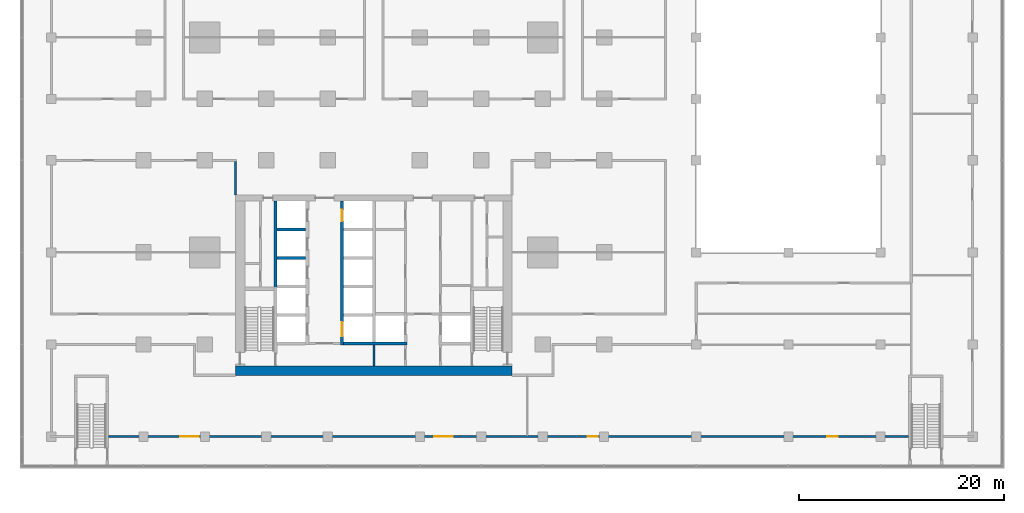
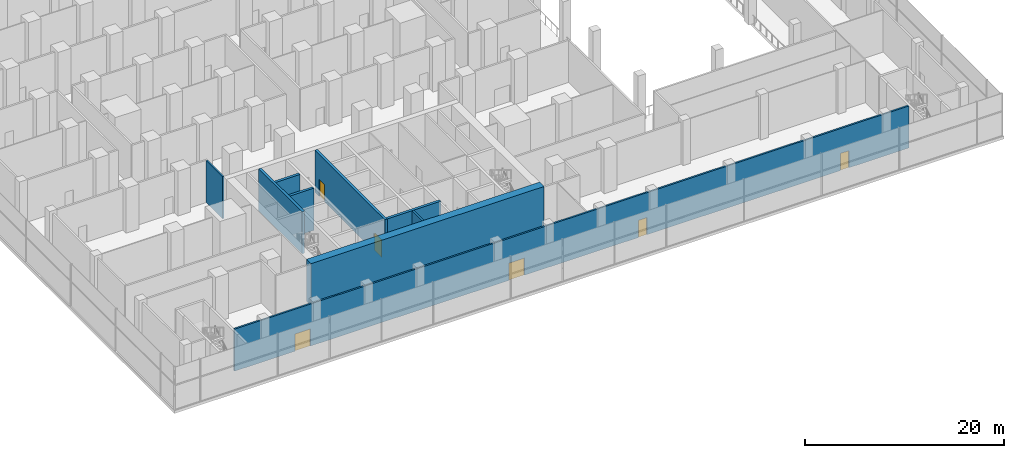
# One storey, part 13 of 22: 9 walls, 6 doors, 6 openings.
"""IFC4 building model written with IfcOpenShell, lengths in metres."""

from ifc_helpers import new_model, si_unit, direction, frame, frame_2d, origin, place, context, subcontext, project, spatial, rectangle, extrude, material, layer, layer_set, type_object, element, fill, save


model = new_model("IFC4")

# Units and contexts
model_context = context("Model", 3, precision=1e-05, world=origin(), true_north=direction((0.0, 1.0)))
body_context = subcontext(model_context, "Body", "Model", "MODEL_VIEW")
ifc_project = project(units=[si_unit("LENGTHUNIT", "METRE"), si_unit("AREAUNIT", "SQUARE_METRE"), si_unit("VOLUMEUNIT", "CUBIC_METRE"), si_unit("PLANEANGLEUNIT", "RADIAN"), si_unit("MASSUNIT", "GRAM", prefix="KILO")], contexts=[model_context])

# Site, building, storey
site_placement = place(None, origin())
site = spatial("IfcSite", under=ifc_project, at=site_placement, CompositionType="ELEMENT")
building_placement = place(site_placement, origin())
building = spatial("IfcBuilding", under=site, at=building_placement, Name="Finial Court Residences", CompositionType="ELEMENT")
storey_placement = place(building_placement, frame((0.0, 0.0, 8.0)))
storey = spatial("IfcBuildingStorey", under=building, at=storey_placement, Name="L01", CompositionType="ELEMENT", Elevation=8.0)

# Wall
ifc_material_1 = material(Name="Concrete C80/95", Category="concrete")
ifc_layer_1 = layer(ifc_material_1, 0.89990234375)
ifc_layer_set_1 = layer_set([ifc_layer_1], Name="Core outer wall 900 Concrete C80/95")
wall_type_1 = type_object("IfcWallType", Name="Core outer wall 900 Concrete C80/95", PredefinedType="SHEAR", material=ifc_layer_set_1)
wall_1_placement = place(storey_placement, frame((-13.5, -25.050048828125, 0.0), z_axis=(0.0, 0.0, 1.0), x_axis=(1.0, 0.0, 0.0)))
element("IfcWall", 1, at=wall_1_placement, inside=storey, type_object=wall_type_1, Name="Core outer wall L01-01", PredefinedType="SHEAR", context=body_context, shape_type="SweptSolid", body=[
    extrude(rectangle(XDim=27.0, YDim=0.89990234375, at=frame_2d((13.5, 0.0))), origin(), (0.0, 0.0, 1.0), 5.14990234375),
])

# Wall, openings, doors
ifc_material_2 = material(Name="Gypsum board")
ifc_layer_2 = layer(ifc_material_2, 0.02490234375)
ifc_material_3 = material(Name="Acoustic mineral wool in double frame")
ifc_layer_3 = layer(ifc_material_3, 0.14990234375)
ifc_layer_4 = layer(ifc_material_2, 0.02490234375)
ifc_layer_set_2 = layer_set([ifc_layer_2, ifc_layer_3, ifc_layer_4], Name="Corridor wall 200, 1 hour")
wall_type_2 = type_object("IfcWallType", Name="Corridor wall 200, 1 hour", PredefinedType="PARTITIONING", material=ifc_layer_set_2)
wall_2_placement = place(storey_placement, frame((-25.89990234375, -31.5, 0.0), z_axis=(0.0, 0.0, 1.0), x_axis=(1.0, 0.0, 0.0)))
wall_2 = element("IfcWall", 2, at=wall_2_placement, inside=storey, type_object=wall_type_2, Name="Partition L01-001", PredefinedType="PARTITIONING", context=body_context, shape_type="SweptSolid", body=[
    extrude(rectangle(XDim=78.14990234375, YDim=0.199951171875, at=frame_2d((39.074951171875, 0.0))), origin(), (0.0, 0.0, 1.0), 5.14990234375),
])
opening_1_placement = place(wall_2_placement, frame((7.0, 0.0, 0.0)))
opening_1 = element("IfcOpeningElement", 3, at=opening_1_placement, cuts=wall_2, Name="Opening L01-D001", PredefinedType="OPENING", context=body_context, shape_type="SweptSolid", body=[
    extrude(rectangle(XDim=1.800048828125, YDim=2.10009765625, at=frame_2d((0.89990234375, 1.050048828125))), frame((0.0, 0.10986328125, 0.0), z_axis=(0.0, -1.0, 0.0), x_axis=(1.0, 0.0, 0.0)), (0.0, 0.0, 1.0), 0.219970703125),
])
opening_2_placement = place(wall_2_placement, frame((31.800048828125, 0.0, 0.0)))
opening_2 = element("IfcOpeningElement", 4, at=opening_2_placement, cuts=wall_2, Name="Opening L01-D002", PredefinedType="OPENING", context=body_context, shape_type="SweptSolid", body=[
    extrude(rectangle(XDim=1.800048828125, YDim=2.10009765625, at=frame_2d((0.89990234375, 1.050048828125))), frame((0.0, 0.10986328125, 0.0), z_axis=(0.0, -1.0, 0.0), x_axis=(1.0, 0.0, 0.0)), (0.0, 0.0, 1.0), 0.219970703125),
])
opening_3_placement = place(wall_2_placement, frame((46.800048828125, 0.0, 0.0)))
opening_3 = element("IfcOpeningElement", 5, at=opening_3_placement, cuts=wall_2, Name="Opening L01-D003", PredefinedType="OPENING", context=body_context, shape_type="SweptSolid", body=[
    extrude(rectangle(XDim=1.0, YDim=2.10009765625, at=frame_2d((0.5, 1.050048828125))), frame((0.0, 0.10986328125, 0.0), z_axis=(0.0, -1.0, 0.0), x_axis=(1.0, 0.0, 0.0)), (0.0, 0.0, 1.0), 0.219970703125),
])
opening_4_placement = place(wall_2_placement, frame((70.199951171875, 0.0, 0.0)))
opening_4 = element("IfcOpeningElement", 6, at=opening_4_placement, cuts=wall_2, Name="Opening L01-D004", PredefinedType="OPENING", context=body_context, shape_type="SweptSolid", body=[
    extrude(rectangle(XDim=1.0, YDim=2.10009765625, at=frame_2d((0.5, 1.050048828125))), frame((0.0, 0.10986328125, 0.0), z_axis=(0.0, -1.0, 0.0), x_axis=(1.0, 0.0, 0.0)), (0.0, 0.0, 1.0), 0.219970703125),
])
ifc_material_4 = material(Name="Timber door leaf in hollow metal frame", Category="wood")
door_type_1 = type_object("IfcDoorType", Name="Fire door set 1000 x 2100, 30 minutes", OperationType="SINGLE_SWING_LEFT", PredefinedType="DOOR", material=ifc_material_4)
door_1_placement = place(opening_3_placement, origin())
door_1 = element("IfcDoor", 7, at=door_1_placement, inside=storey, type_object=door_type_1, Name="Door L01-D003", OperationType="SINGLE_SWING_LEFT", OverallHeight=2.10009765625, OverallWidth=1.0, PredefinedType="DOOR", context=body_context, shape_type="SweptSolid", body=[
    extrude(rectangle(XDim=1.0, YDim=2.10009765625, at=frame_2d((0.5, 1.050048828125))), frame((0.0, 0.02490234375, 0.0), z_axis=(0.0, -1.0, 0.0), x_axis=(1.0, 0.0, 0.0)), (0.0, 0.0, 1.0), 0.050048828125),
])
fill(opening_3, door_1)
door_2_placement = place(opening_4_placement, origin())
door_2 = element("IfcDoor", 8, at=door_2_placement, inside=storey, type_object=door_type_1, Name="Door L01-D004", OperationType="SINGLE_SWING_LEFT", OverallHeight=2.10009765625, OverallWidth=1.0, PredefinedType="DOOR", context=body_context, shape_type="SweptSolid", body=[
    extrude(rectangle(XDim=1.0, YDim=2.10009765625, at=frame_2d((0.5, 1.050048828125))), frame((0.0, 0.02490234375, 0.0), z_axis=(0.0, -1.0, 0.0), x_axis=(1.0, 0.0, 0.0)), (0.0, 0.0, 1.0), 0.050048828125),
])
fill(opening_4, door_2)
door_type_2 = type_object("IfcDoorType", Name="Fire door set 1800 x 2100, 30 minutes", OperationType="DOUBLE_DOOR_SINGLE_SWING", PredefinedType="DOOR", material=ifc_material_4)
door_3_placement = place(opening_1_placement, origin())
door_3 = element("IfcDoor", 9, at=door_3_placement, inside=storey, type_object=door_type_2, Name="Door L01-D001", OperationType="DOUBLE_DOOR_SINGLE_SWING", OverallHeight=2.10009765625, OverallWidth=1.800048828125, PredefinedType="DOOR", context=body_context, shape_type="SweptSolid", body=[
    extrude(rectangle(XDim=1.800048828125, YDim=2.10009765625, at=frame_2d((0.89990234375, 1.050048828125))), frame((0.0, 0.02490234375, 0.0), z_axis=(0.0, -1.0, 0.0), x_axis=(1.0, 0.0, 0.0)), (0.0, 0.0, 1.0), 0.050048828125),
])
fill(opening_1, door_3)
door_4_placement = place(opening_2_placement, origin())
door_4 = element("IfcDoor", 10, at=door_4_placement, inside=storey, type_object=door_type_2, Name="Door L01-D002", OperationType="DOUBLE_DOOR_SINGLE_SWING", OverallHeight=2.10009765625, OverallWidth=1.800048828125, PredefinedType="DOOR", context=body_context, shape_type="SweptSolid", body=[
    extrude(rectangle(XDim=1.800048828125, YDim=2.10009765625, at=frame_2d((0.89990234375, 1.050048828125))), frame((0.0, 0.02490234375, 0.0), z_axis=(0.0, -1.0, 0.0), x_axis=(1.0, 0.0, 0.0)), (0.0, 0.0, 1.0), 0.050048828125),
])
fill(opening_2, door_4)

# Walls
wall_3_placement = place(storey_placement, frame((-13.5, -7.89990234375, 0.0), z_axis=(0.0, 0.0, 1.0), x_axis=(0.0, 1.0, 0.0)))
element("IfcWall", 11, at=wall_3_placement, inside=storey, type_object=wall_type_2, Name="Partition L01-047", PredefinedType="PARTITIONING", context=body_context, shape_type="SweptSolid", body=[
    extrude(rectangle(XDim=3.2998046875, YDim=0.199951171875, at=frame_2d((1.64990234375, 0.0))), origin(), (0.0, 0.0, 1.0), 5.14990234375),
])
ifc_layer_5 = layer(ifc_material_1, 0.300048828125)
ifc_layer_set_3 = layer_set([ifc_layer_5], Name="Lift shaft and stair wall 300 Concrete C80/95")
wall_type_3 = type_object("IfcWallType", Name="Lift shaft and stair wall 300 Concrete C80/95", PredefinedType="SHEAR", material=ifc_layer_set_3)
wall_4_placement = place(storey_placement, frame((-2.949951171875, -22.39990234375, 0.0), z_axis=(0.0, 0.0, 1.0), x_axis=(1.0, 0.0, 0.0)))
element("IfcWall", 12, at=wall_4_placement, inside=storey, type_object=wall_type_3, Name="Core wall L01-03", PredefinedType="SHEAR", context=body_context, shape_type="SweptSolid", body=[
    extrude(rectangle(XDim=6.199951171875, YDim=0.300048828125, at=frame_2d((3.10009765625, 0.0))), origin(), (0.0, 0.0, 1.0), 5.14990234375),
])
for number, where, z_axis, x_axis, name in (
    (13, (-9.449951171875, -14.06005859375, 0.0), (0.0, 0.0, 1.0), (1.0, 0.0, 0.0), "Core wall L01-16"),
    (14, (-9.449951171875, -11.280029296875, 0.0), (0.0, 0.0, 1.0), (1.0, 0.0, 0.0), "Core wall L01-19"),
):
    element("IfcWall", number, at=place(storey_placement, frame(where, z_axis=z_axis, x_axis=x_axis)), inside=storey, type_object=wall_type_3, Name=name, PredefinedType="SHEAR", context=body_context, shape_type="SweptSolid", body=[
        extrude(rectangle(XDim=2.800048828125, YDim=0.300048828125, at=frame_2d((1.39990234375, 0.0))), origin(), (0.0, 0.0, 1.0), 5.14990234375),
    ])
wall_5_placement = place(storey_placement, frame((-9.60009765625, -17.199951171875, 0.0), z_axis=(0.0, 0.0, 1.0), x_axis=(0.0, 1.0, 0.0)))
element("IfcWall", 15, at=wall_5_placement, inside=storey, type_object=wall_type_3, Name="Core wall L01-25", PredefinedType="SHEAR", context=body_context, shape_type="SweptSolid", body=[
    extrude(rectangle(XDim=8.699951171875, YDim=0.300048828125, at=frame_2d((4.35009765625, 0.0))), origin(), (0.0, 0.0, 1.0), 5.14990234375),
])

# Wall, openings, doors
wall_6_placement = place(storey_placement, frame((-3.10009765625, -22.550048828125, 0.0), z_axis=(0.0, 0.0, 1.0), x_axis=(0.0, 1.0, 0.0)))
wall_6 = element("IfcWall", 16, at=wall_6_placement, inside=storey, type_object=wall_type_3, Name="Core wall L01-27", PredefinedType="SHEAR", context=body_context, shape_type="SweptSolid", body=[
    extrude(rectangle(XDim=14.050048828125, YDim=0.300048828125, at=frame_2d((7.02490234375, 0.0))), origin(), (0.0, 0.0, 1.0), 5.14990234375),
])
opening_5_placement = place(wall_6_placement, frame((12.110107421875, 0.0, 0.0)))
opening_5 = element("IfcOpeningElement", 17, at=opening_5_placement, cuts=wall_6, Name="Opening L01-LD08", PredefinedType="OPENING", context=body_context, shape_type="SweptSolid", body=[
    extrude(rectangle(XDim=1.10009765625, YDim=2.10009765625, at=frame_2d((0.550048828125, 1.050048828125))), frame((0.0, 0.159912109375, 0.0), z_axis=(0.0, -1.0, 0.0), x_axis=(1.0, 0.0, 0.0)), (0.0, 0.0, 1.0), 0.320068359375),
])
opening_6_placement = place(wall_6_placement, frame((0.840087890625, 0.0, 0.0)))
opening_6 = element("IfcOpeningElement", 18, at=opening_6_placement, cuts=wall_6, Name="Opening L01-LD09", PredefinedType="OPENING", context=body_context, shape_type="SweptSolid", body=[
    extrude(rectangle(XDim=1.39990234375, YDim=2.10009765625, at=frame_2d((0.699951171875, 1.050048828125))), frame((0.0, 0.159912109375, 0.0), z_axis=(0.0, -1.0, 0.0), x_axis=(1.0, 0.0, 0.0)), (0.0, 0.0, 1.0), 0.320068359375),
])
ifc_material_5 = material(Name="Stainless steel lift door", Category="steel")
door_type_3 = type_object("IfcDoorType", Name="Lift landing door 1100 x 2100 EI 90", OperationType="DOUBLE_DOOR_SLIDING", PredefinedType="DOOR", material=ifc_material_5)
door_5_placement = place(opening_5_placement, origin())
door_5 = element("IfcDoor", 19, at=door_5_placement, inside=storey, type_object=door_type_3, Name="Lift landing door LR6 L01", OperationType="DOUBLE_DOOR_SLIDING", OverallHeight=2.10009765625, OverallWidth=1.10009765625, PredefinedType="DOOR", context=body_context, shape_type="SweptSolid", body=[
    extrude(rectangle(XDim=1.10009765625, YDim=2.10009765625, at=frame_2d((0.550048828125, 1.050048828125))), frame((0.0, 0.02490234375, 0.0), z_axis=(0.0, -1.0, 0.0), x_axis=(1.0, 0.0, 0.0)), (0.0, 0.0, 1.0), 0.050048828125),
])
fill(opening_5, door_5)
door_type_4 = type_object("IfcDoorType", Name="Lift landing door 1400 x 2100 EI 90", OperationType="DOUBLE_DOOR_SLIDING", PredefinedType="DOOR", material=ifc_material_5)
door_6_placement = place(opening_6_placement, origin())
door_6 = element("IfcDoor", 20, at=door_6_placement, inside=storey, type_object=door_type_4, Name="Lift landing door SV1 L01", OperationType="DOUBLE_DOOR_SLIDING", OverallHeight=2.10009765625, OverallWidth=1.39990234375, PredefinedType="DOOR", context=body_context, shape_type="SweptSolid", body=[
    extrude(rectangle(XDim=1.39990234375, YDim=2.10009765625, at=frame_2d((0.699951171875, 1.050048828125))), frame((0.0, 0.02490234375, 0.0), z_axis=(0.0, -1.0, 0.0), x_axis=(1.0, 0.0, 0.0)), (0.0, 0.0, 1.0), 0.050048828125),
])
fill(opening_6, door_6)

# Wall
ifc_material_6 = material(Name="Fire-rated gypsum board partition")
ifc_layer_6 = layer(ifc_material_6, 0.199951171875)
ifc_layer_set_4 = layer_set([ifc_layer_6], Name="Riser room wall 200 EI 120")
wall_type_4 = type_object("IfcWallType", Name="Riser room wall 200 EI 120", PredefinedType="PARTITIONING", material=ifc_layer_set_4)
wall_7_placement = place(storey_placement, frame((0.0, -24.60009765625, 0.0), z_axis=(0.0, 0.0, 1.0), x_axis=(0.0, 1.0, 0.0)))
element("IfcWall", 21, at=wall_7_placement, inside=storey, type_object=wall_type_4, Name="Core partition L01-28", PredefinedType="PARTITIONING", context=body_context, shape_type="SweptSolid", body=[
    extrude(rectangle(XDim=2.050048828125, YDim=0.199951171875, at=frame_2d((1.02490234375, 0.0))), origin(), (0.0, 0.0, 1.0), 5.14990234375),
])

save(model, "model.ifc")
